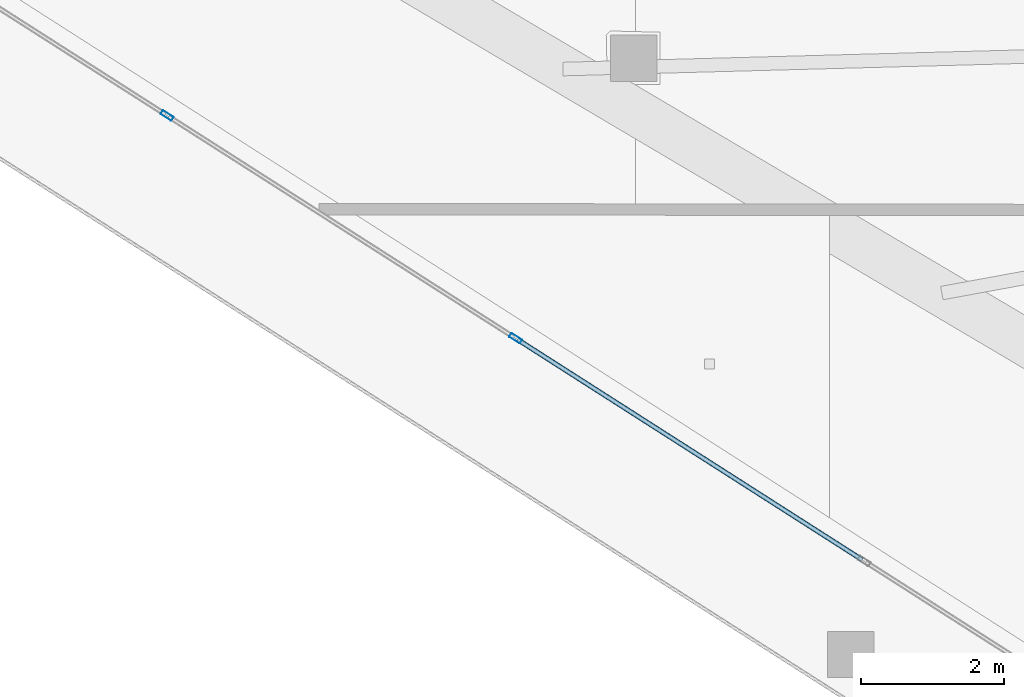
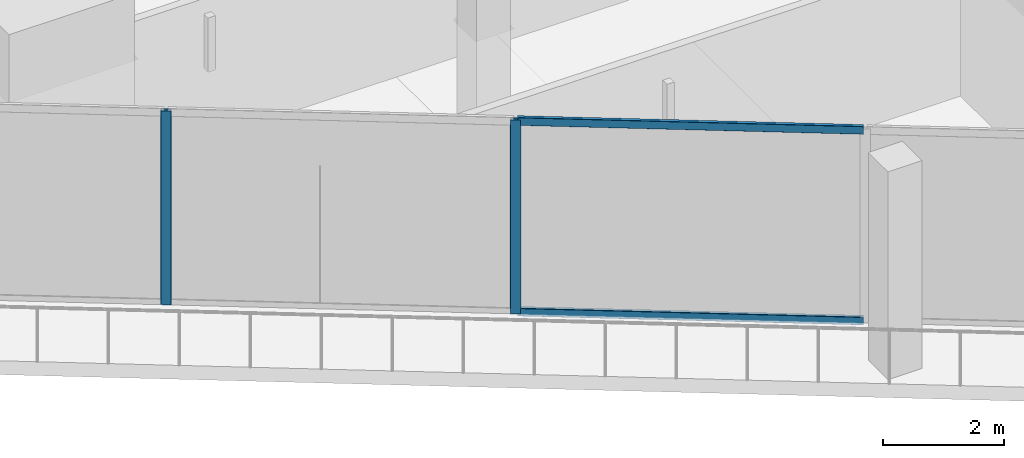
# One storey, part 3 of 44: 4 members, 1 element without a shape of its own.
"""IFC4 building model written with IfcOpenShell, lengths in metres."""

from ifc_helpers import new_model, si_unit, direction, frame, origin, origin_2d, place, context, subcontext, project, spatial, hollow_rectangle, extrude, material, layer, layer_set, material_profile, profile_set, type_object, element, aggregate, save


model = new_model("IFC4")

# Units and contexts
model_context = context("Model", 3, precision=1e-05, world=origin(), true_north=direction((0.0, 1.0)))
body_context = subcontext(model_context, "Body", "Model", "MODEL_VIEW")
ifc_project = project(units=[si_unit("LENGTHUNIT", "METRE"), si_unit("AREAUNIT", "SQUARE_METRE"), si_unit("VOLUMEUNIT", "CUBIC_METRE"), si_unit("PLANEANGLEUNIT", "RADIAN"), si_unit("MASSUNIT", "GRAM", prefix="KILO")], contexts=[model_context])

# Site, building, storey
site_placement = place(None, origin())
site = spatial("IfcSite", under=ifc_project, at=site_placement, CompositionType="ELEMENT")
building_placement = place(site_placement, origin())
building = spatial("IfcBuilding", under=site, at=building_placement, Name="Qorvath Tower", CompositionType="ELEMENT")
storey_placement = place(building_placement, frame((0.0, 0.0, 57.60009765625)))
storey = spatial("IfcBuildingStorey", under=building, at=storey_placement, Name="L12", CompositionType="ELEMENT", Elevation=57.60009765625)

# Curtain wall, members
ifc_material_1 = material(Name="Anodised aluminium and triple low-E glass", Category="aluminium")
ifc_layer = layer(ifc_material_1, 0.179931640625)
ifc_layer_set = layer_set([ifc_layer], Name="CW-SYS-2")
curtain_wall_type = type_object("IfcCurtainWallType", Name="CW-SYS-2", PredefinedType="NOTDEFINED", material=ifc_layer_set)
curtain_wall_placement = place(storey_placement, origin())
curtain_wall = element("IfcCurtainWall", 1, at=curtain_wall_placement, inside=storey, type_object=curtain_wall_type, Name="Curtain Wall CW-2 CW-T-L12-2.1", PredefinedType="NOTDEFINED")
ifc_material_2 = material(Name="Anodised aluminium 6063-T6", Category="aluminium")
ifc_material_profile_1 = material_profile(ifc_material_2, hollow_rectangle(XDim=0.06494140625, YDim=0.179931640625, WallThickness=0.00341796875, InnerFilletRadius=0.00341796875, OuterFilletRadius=0.007080078125, at=origin_2d()), Name="CWM 180x65")
ifc_profile_set_1 = profile_set([ifc_material_profile_1], Name="Anodised aluminium 6063-T6")
member_type_1 = type_object("IfcMemberType", Name="CWM-180", PredefinedType="MULLION", material=ifc_profile_set_1)
member_1_placement = place(storey_placement, frame((-55.11572265625, -7.223876953125, 0.0), z_axis=(0.0, 0.0, 1.0), x_axis=(0.53852960651, 0.842606588458, 0.0)))
member_1 = element("IfcMember", 2, at=member_1_placement, type_object=member_type_1, Name="CW-2 mullion 2", PredefinedType="MULLION", context=body_context, shape_type="SweptSolid", body=[
    extrude(hollow_rectangle(XDim=0.06494140625, YDim=0.179931640625, WallThickness=0.00341796875, InnerFilletRadius=0.00341796875, OuterFilletRadius=0.007080078125, at=origin_2d()), origin(), (0.0, 0.0, 1.0), 3.919921875),
])
member_2_placement = place(storey_placement, frame((-50.233154296875, -10.344482421875, 0.0), z_axis=(0.0, 0.0, 1.0), x_axis=(0.53852960651, 0.842606588458, 0.0)))
member_2 = element("IfcMember", 3, at=member_2_placement, type_object=member_type_1, Name="CW-2 mullion 3", PredefinedType="MULLION", context=body_context, shape_type="SweptSolid", body=[
    extrude(hollow_rectangle(XDim=0.06494140625, YDim=0.179931640625, WallThickness=0.00341796875, InnerFilletRadius=0.00341796875, OuterFilletRadius=0.007080078125, at=origin_2d()), origin(), (0.0, 0.0, 1.0), 3.919921875),
])
ifc_material_3 = material(Name="Anodised aluminium 6063-T6", Category="aluminium")
ifc_material_profile_2 = material_profile(ifc_material_3, hollow_rectangle(XDim=0.06494140625, YDim=0.159912109375, WallThickness=0.00341796875, InnerFilletRadius=0.00341796875, OuterFilletRadius=0.007080078125, at=origin_2d()), Name="CWT 160x65")
ifc_profile_set_2 = profile_set([ifc_material_profile_2], Name="Anodised aluminium 6063-T6")
member_type_2 = type_object("IfcMemberType", Name="CWT-160", PredefinedType="USERDEFINED", material=ifc_profile_set_2)
member_3_placement = place(storey_placement, frame((-50.20556640625, -10.362060546875, 0.032470703125), z_axis=(0.842607101895, -0.538528803163, 0.0), x_axis=(0.538528803163, 0.842607101895, 0.0)))
member_3 = element("IfcMember", 4, at=member_3_placement, type_object=member_type_2, Name="CW-2 transom 3.1", ObjectType="TRANSOM", PredefinedType="USERDEFINED", context=body_context, shape_type="SweptSolid", body=[
    extrude(hollow_rectangle(XDim=0.06494140625, YDim=0.159912109375, WallThickness=0.00341796875, InnerFilletRadius=0.00341796875, OuterFilletRadius=0.007080078125, at=origin_2d()), origin(), (0.0, 0.0, 1.0), 5.7294921875),
])
member_4_placement = place(storey_placement, frame((-50.20556640625, -10.362060546875, 3.887451171875), z_axis=(0.842607101895, -0.538528803163, 0.0), x_axis=(0.538528803163, 0.842607101895, 0.0)))
member_4 = element("IfcMember", 5, at=member_4_placement, type_object=member_type_2, Name="CW-2 transom 3.2", ObjectType="TRANSOM", PredefinedType="USERDEFINED", context=body_context, shape_type="SweptSolid", body=[
    extrude(hollow_rectangle(XDim=0.06494140625, YDim=0.159912109375, WallThickness=0.00341796875, InnerFilletRadius=0.00341796875, OuterFilletRadius=0.007080078125, at=origin_2d()), origin(), (0.0, 0.0, 1.0), 5.7294921875),
])
aggregate(curtain_wall, [member_1, member_2, member_3, member_4])

save(model, "model.ifc")
